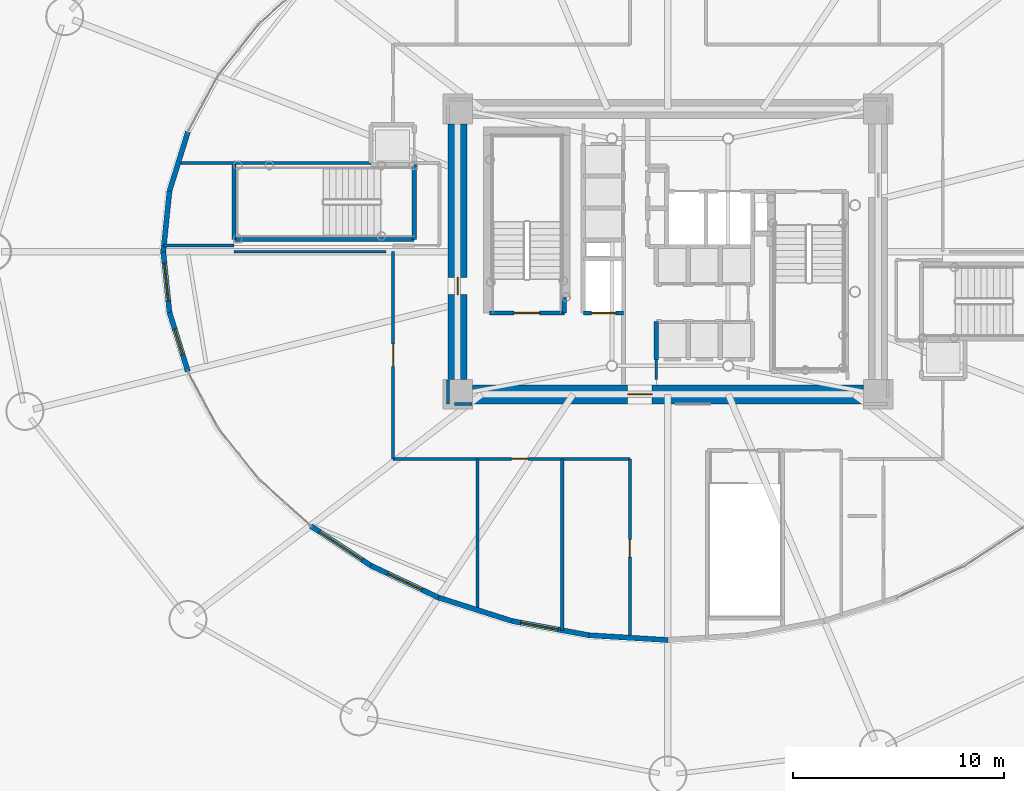
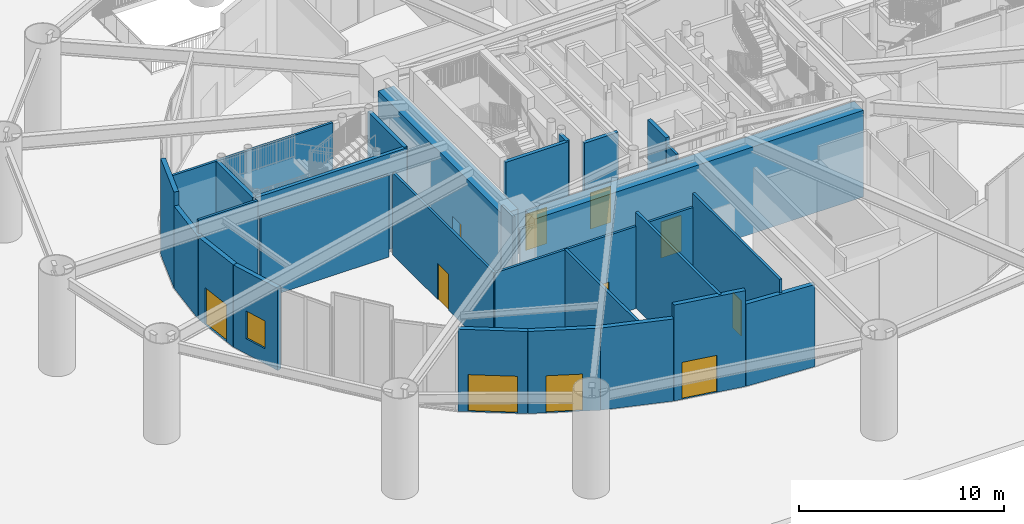
# One storey, part 29 of 46: 29 walls, 11 doors, 1 window, 12 openings.
"""IFC4 building model written with IfcOpenShell, lengths in metres."""

from ifc_helpers import new_model, si_unit, direction, frame, frame_2d, origin, origin_2d, place, context, subcontext, project, spatial, rectangle, extrude, source, transform, mapped, material, layer, layer_set, type_object, element, fill, save


model = new_model("IFC4")

# Units and contexts
model_context = context("Model", 3, precision=1e-05, world=origin(), true_north=direction((0.0, 1.0)))
body_context = subcontext(model_context, "Body", "Model", "MODEL_VIEW")
ifc_project = project(units=[si_unit("LENGTHUNIT", "METRE"), si_unit("AREAUNIT", "SQUARE_METRE"), si_unit("VOLUMEUNIT", "CUBIC_METRE"), si_unit("PLANEANGLEUNIT", "RADIAN"), si_unit("MASSUNIT", "GRAM", prefix="KILO")], contexts=[model_context])

# Site, building, storey
site_placement = place(None, origin())
site = spatial("IfcSite", under=ifc_project, at=site_placement, CompositionType="ELEMENT")
building_placement = place(site_placement, origin())
building = spatial("IfcBuilding", under=site, at=building_placement, Name="Linh Dai School and Residence Tower", CompositionType="ELEMENT")
storey_placement = place(building_placement, origin())
storey = spatial("IfcBuildingStorey", under=building, at=storey_placement, Name="L00", CompositionType="ELEMENT", Elevation=0.0)

# Walls
ifc_material_1 = material(Name="Precast Concrete B45 (C35/45)", Category="concrete")
ifc_layer_1 = layer(ifc_material_1, 0.25)
ifc_layer_set_1 = layer_set([ifc_layer_1], Name="Precast Concrete B45 (C35/45)")
wall_type_1 = type_object("IfcWallType", Name="EW-TC-250", PredefinedType="SOLIDWALL", material=ifc_layer_set_1)
wall_1_placement = place(storey_placement, frame((12.41796875, 29.868896484375, 0.0), z_axis=(0.0, 0.0, 1.0), x_axis=(0.297355038878, 0.954766977254, 0.0)))
element("IfcWall", 1, at=wall_1_placement, inside=storey, type_object=wall_type_1, Name="L00 Terracotta Exterior Wall 19", PredefinedType="SOLIDWALL", context=body_context, shape_type="SweptSolid", body=[
    extrude(rectangle(XDim=2.931884765625, YDim=0.25, at=frame_2d((1.4658203125, 0.0))), origin(), (0.0, 0.0, 1.0), 5.699951171875),
])
wall_2_placement = place(storey_placement, frame((12.125, 27.0, 0.0), z_axis=(0.0, 0.0, 1.0), x_axis=(0.10159063445, 0.994826287847, 0.0)))
element("IfcWall", 2, at=wall_2_placement, inside=storey, type_object=wall_type_1, Name="L00 Terracotta Exterior Wall 20", PredefinedType="SOLIDWALL", context=body_context, shape_type="SweptSolid", body=[
    extrude(rectangle(XDim=2.8837890625, YDim=0.25, at=frame_2d((1.44189453125, 0.0))), origin(), (0.0, 0.0, 1.0), 4.885009765625),
])

# Wall, opening, door
wall_3_placement = place(storey_placement, frame((12.41796875, 24.131103515625, 0.0), z_axis=(0.0, 0.0, 1.0), x_axis=(-0.10159063445, 0.994826287847, 0.0)))
wall_3 = element("IfcWall", 3, at=wall_3_placement, inside=storey, type_object=wall_type_1, Name="L00 Terracotta Exterior Wall 21", PredefinedType="SOLIDWALL", context=body_context, shape_type="SweptSolid", body=[
    extrude(rectangle(XDim=2.8837890625, YDim=0.25, at=frame_2d((1.44189453125, 0.0))), origin(), (0.0, 0.0, 1.0), 4.885009765625),
])
opening_1_placement = place(wall_3_placement, frame((0.5419921875, 0.0, 0.0)))
opening_1 = element("IfcOpeningElement", 4, at=opening_1_placement, cuts=wall_3, Name="Opening ED-07", PredefinedType="OPENING", context=body_context, shape_type="SweptSolid", body=[
    extrude(rectangle(XDim=1.800048828125, YDim=2.199951171875, at=origin_2d()), frame((0.89990234375, 0.135009765625, 1.10009765625), z_axis=(0.0, -1.0, 0.0), x_axis=(1.0, 0.0, 0.0)), (0.0, 0.0, 1.0), 0.27001953125),
])
ifc_material_2 = material(Name="Glazed Aluminium Exit Door", Category="aluminium")
door_type_1 = type_object("IfcDoorType", Name="DR-EXIT-1800x2200", OperationType="NOTDEFINED", PredefinedType="DOOR", material=ifc_material_2)
shared_shape_1 = source(origin(), body_context, "Body", "SweptSolid", [
    extrude(rectangle(XDim=1.800048828125, YDim=2.199951171875, at=origin_2d()), frame((0.89990234375, 0.02490234375, 1.10009765625), z_axis=(0.0, -1.0, 0.0), x_axis=(1.0, 0.0, 0.0)), (0.0, 0.0, 1.0), 0.050048828125),
])
door_1_placement = place(opening_1_placement, origin())
door_1 = element("IfcDoor", 5, at=door_1_placement, inside=storey, type_object=door_type_1, Name="Final Exit Door ED-07 (Protected Stair STS1 West Exit)", OperationType="SINGLE_SWING_RIGHT", OverallHeight=2.199951171875, OverallWidth=1.800048828125, PredefinedType="DOOR", context=body_context, shape_type="MappedRepresentation", body=[
    mapped(shared_shape_1, transform((0.0, 0.0, 0.0), x_axis=(1.0, 0.0, 0.0), y_axis=(0.0, 1.0, 0.0), z_axis=(0.0, 0.0, 1.0), scale=1.0)),
])
fill(opening_1, door_1)

# Wall, opening, window
wall_4_placement = place(storey_placement, frame((13.289794921875, 21.331787109375, 0.0), z_axis=(0.0, 0.0, 1.0), x_axis=(-0.297355038878, 0.954766977254, 0.0)))
wall_4 = element("IfcWall", 6, at=wall_4_placement, inside=storey, type_object=wall_type_1, Name="L00 Terracotta Exterior Wall 22", PredefinedType="SOLIDWALL", context=body_context, shape_type="SweptSolid", body=[
    extrude(rectangle(XDim=2.931884765625, YDim=0.25, at=frame_2d((1.4658203125, 0.0))), origin(), (0.0, 0.0, 1.0), 4.885009765625),
])
opening_2_placement = place(wall_4_placement, frame((0.8408203125, 0.0, 0.89990234375)))
opening_2 = element("IfcOpeningElement", 7, at=opening_2_placement, cuts=wall_4, Name="Opening W3", PredefinedType="OPENING", context=body_context, shape_type="SweptSolid", body=[
    extrude(rectangle(XDim=1.25, YDim=1.64990234375, at=origin_2d()), frame((0.625, 0.135009765625, 0.824951171875), z_axis=(0.0, -1.0, 0.0), x_axis=(1.0, 0.0, 0.0)), (0.0, 0.0, 1.0), 0.27001953125),
])
ifc_material_3 = material(Name="Double Low-E Insulated Glazing", Category="glass")
window_type = type_object("IfcWindowType", Name="WN-RES-1250x1650", PartitioningType="SINGLE_PANEL", PredefinedType="WINDOW", material=ifc_material_3)
shared_shape_2 = source(origin(), body_context, "Body", "SweptSolid", [
    extrude(rectangle(XDim=1.25, YDim=1.64990234375, at=origin_2d()), frame((0.625, 0.030029296875, 0.824951171875), z_axis=(0.0, -1.0, 0.0), x_axis=(1.0, 0.0, 0.0)), (0.0, 0.0, 1.0), 0.06005859375),
])
window_placement = place(opening_2_placement, origin())
window = element("IfcWindow", 8, at=window_placement, inside=storey, type_object=window_type, Name="L00 Exterior Window 22.1", OverallHeight=1.64990234375, OverallWidth=1.25, PartitioningType="SINGLE_PANEL", PredefinedType="WINDOW", context=body_context, shape_type="MappedRepresentation", body=[
    mapped(shared_shape_2, transform((0.0, 0.0, 0.0), x_axis=(1.0, 0.0, 0.0), y_axis=(0.0, 1.0, 0.0), z_axis=(0.0, 0.0, 1.0), scale=1.0)),
])
fill(opening_2, window)

# Wall, opening, door
wall_5_placement = place(storey_placement, frame((21.954345703125, 12.142333984375, 0.0), z_axis=(0.0, 0.0, 1.0), x_axis=(-0.835263082911, 0.549850509071, 0.0)))
wall_5 = element("IfcWall", 9, at=wall_5_placement, inside=storey, type_object=wall_type_1, Name="L00 Terracotta Exterior Wall 26", PredefinedType="SOLIDWALL", context=body_context, shape_type="SweptSolid", body=[
    extrude(rectangle(XDim=3.410400390625, YDim=0.25, at=frame_2d((1.705078125, 0.0))), origin(), (0.0, 0.0, 1.0), 4.885009765625),
])
opening_3_placement = place(wall_5_placement, frame((0.505126953125, 0.0, 0.0)))
opening_3 = element("IfcOpeningElement", 10, at=opening_3_placement, cuts=wall_5, Name="Opening VG-03", PredefinedType="OPENING", context=body_context, shape_type="SweptSolid", body=[
    extrude(rectangle(XDim=2.39990234375, YDim=2.199951171875, at=origin_2d()), frame((1.199951171875, 0.135009765625, 1.10009765625), z_axis=(0.0, -1.0, 0.0), x_axis=(1.0, 0.0, 0.0)), (0.0, 0.0, 1.0), 0.27001953125),
])
ifc_material_4 = material(Name="Powder-Coated Steel Security Gate", Category="steel")
door_type_2 = type_object("IfcDoorType", Name="GT-PLAZA-2400x2200", OperationType="NOTDEFINED", PredefinedType="GATE", material=ifc_material_4)
shared_shape_3 = source(origin(), body_context, "Body", "SweptSolid", [
    extrude(rectangle(XDim=2.39990234375, YDim=2.199951171875, at=origin_2d()), frame((1.199951171875, 0.02490234375, 1.10009765625), z_axis=(0.0, -1.0, 0.0), x_axis=(1.0, 0.0, 0.0)), (0.0, 0.0, 1.0), 0.050048828125),
])
door_2_placement = place(opening_3_placement, origin())
door_2 = element("IfcDoor", 11, at=door_2_placement, inside=storey, type_object=door_type_2, Name="L00 Concourse Security Gate VG-03", OperationType="SINGLE_SWING_LEFT", OverallHeight=2.199951171875, OverallWidth=2.39990234375, PredefinedType="GATE", context=body_context, shape_type="MappedRepresentation", body=[
    mapped(shared_shape_3, transform((0.0, 0.0, 0.0), x_axis=(1.0, 0.0, 0.0), y_axis=(0.0, 1.0, 0.0), z_axis=(0.0, 0.0, 1.0), scale=1.0)),
])
fill(opening_3, door_2)

wall_6_placement = place(storey_placement, frame((25.14990234375, 10.6328125, 0.0), z_axis=(0.0, 0.0, 1.0), x_axis=(-0.9041930697, 0.427123978146, 0.0)))
wall_6 = element("IfcWall", 12, at=wall_6_placement, inside=storey, type_object=wall_type_1, Name="L00 Terracotta Exterior Wall 27", PredefinedType="SOLIDWALL", context=body_context, shape_type="SweptSolid", body=[
    extrude(rectangle(XDim=3.5341796875, YDim=0.25, at=frame_2d((1.76708984375, 0.0))), origin(), (0.0, 0.0, 1.0), 4.885009765625),
])
opening_4_placement = place(wall_6_placement, frame((0.8671875, 0.0, 0.0)))
opening_4 = element("IfcOpeningElement", 13, at=opening_4_placement, cuts=wall_6, Name="Opening ED-04", PredefinedType="OPENING", context=body_context, shape_type="SweptSolid", body=[
    extrude(rectangle(XDim=1.800048828125, YDim=2.199951171875, at=origin_2d()), frame((0.89990234375, 0.135009765625, 1.10009765625), z_axis=(0.0, -1.0, 0.0), x_axis=(1.0, 0.0, 0.0)), (0.0, 0.0, 1.0), 0.27001953125),
])
door_3_placement = place(opening_4_placement, origin())
door_3 = element("IfcDoor", 14, at=door_3_placement, inside=storey, type_object=door_type_1, Name="Final Exit Door ED-04 (Stair ST1 South-West Exit)", OperationType="SINGLE_SWING_RIGHT", OverallHeight=2.199951171875, OverallWidth=1.800048828125, PredefinedType="DOOR", context=body_context, shape_type="MappedRepresentation", body=[
    mapped(shared_shape_1, transform((0.0, 0.0, 0.0), x_axis=(1.0, 0.0, 0.0), y_axis=(0.0, 1.0, 0.0), z_axis=(0.0, 0.0, 1.0), scale=1.0)),
])
fill(opening_4, door_3)

# Wall
wall_7_placement = place(storey_placement, frame((28.614013671875, 9.526611328125, 0.0), z_axis=(0.0, 0.0, 1.0), x_axis=(-0.952608721119, 0.304198330777, 0.0)))
element("IfcWall", 15, at=wall_7_placement, inside=storey, type_object=wall_type_1, Name="L00 Terracotta Exterior Wall 28", PredefinedType="SOLIDWALL", context=body_context, shape_type="SweptSolid", body=[
    extrude(rectangle(XDim=3.636474609375, YDim=0.25, at=frame_2d((1.818359375, 0.0))), origin(), (0.0, 0.0, 1.0), 4.885009765625),
])

# Wall, opening, door
wall_8_placement = place(storey_placement, frame((32.2607421875, 8.851806640625, 0.0), z_axis=(0.0, 0.0, 1.0), x_axis=(-0.983306878602, 0.181954891374, 0.0)))
wall_8 = element("IfcWall", 16, at=wall_8_placement, inside=storey, type_object=wall_type_1, Name="L00 Terracotta Exterior Wall 29", PredefinedType="SOLIDWALL", context=body_context, shape_type="SweptSolid", body=[
    extrude(rectangle(XDim=3.708740234375, YDim=0.25, at=frame_2d((1.8544921875, 0.0))), origin(), (0.0, 0.0, 1.0), 5.699951171875),
])
opening_5_placement = place(wall_8_placement, frame((1.48095703125, 0.0, 0.0)))
opening_5 = element("IfcOpeningElement", 17, at=opening_5_placement, cuts=wall_8, Name="Opening ED-08", PredefinedType="OPENING", context=body_context, shape_type="SweptSolid", body=[
    extrude(rectangle(XDim=1.800048828125, YDim=2.199951171875, at=origin_2d()), frame((0.89990234375, 0.135009765625, 1.10009765625), z_axis=(0.0, -1.0, 0.0), x_axis=(1.0, 0.0, 0.0)), (0.0, 0.0, 1.0), 0.27001953125),
])
door_4_placement = place(opening_5_placement, origin())
door_4 = element("IfcDoor", 18, at=door_4_placement, inside=storey, type_object=door_type_1, Name="Final Exit Door ED-08 (Protected Stair STB1 South-East Exit)", OperationType="SINGLE_SWING_LEFT", OverallHeight=2.199951171875, OverallWidth=1.800048828125, PredefinedType="DOOR", context=body_context, shape_type="MappedRepresentation", body=[
    mapped(shared_shape_1, transform((0.0, 0.0, 0.0), x_axis=(1.0, 0.0, 0.0), y_axis=(0.0, 1.0, 0.0), z_axis=(0.0, 0.0, 1.0), scale=1.0)),
])
fill(opening_5, door_4)

# Walls
wall_9_placement = place(storey_placement, frame((36.0, 8.625, 0.0), z_axis=(0.0, 0.0, 1.0), x_axis=(-0.99816551411, 0.060544251933, 0.0)))
element("IfcWall", 19, at=wall_9_placement, inside=storey, type_object=wall_type_1, Name="L00 Terracotta Exterior Wall 30", PredefinedType="SOLIDWALL", context=body_context, shape_type="SweptSolid", body=[
    extrude(rectangle(XDim=3.74609375, YDim=0.25, at=frame_2d((1.873046875, 0.0))), origin(), (0.0, 0.0, 1.0), 4.885009765625),
])
ifc_material_5 = material(Name="Autoclaved Aerated Concrete Blockwork", Category="masonry")
ifc_layer_2 = layer(ifc_material_5, 0.135009765625)
ifc_layer_set_2 = layer_set([ifc_layer_2], Name="Autoclaved Aerated Concrete Blockwork")
wall_type_2 = type_object("IfcWallType", Name="IW-CORR-135-EI90", PredefinedType="PARTITIONING", material=ifc_layer_set_2)
wall_10_placement = place(storey_placement, frame((12.827392578125, 31.199951171875, 0.0), z_axis=(0.0, 0.0, 1.0), x_axis=(1.0, 0.0, 0.0)))
element("IfcWall", 20, at=wall_10_placement, inside=storey, type_object=wall_type_2, Name="L00 Interior Partition Wall 001", PredefinedType="PARTITIONING", context=body_context, shape_type="SweptSolid", body=[
    extrude(rectangle(XDim=9.12255859375, YDim=0.135009765625, at=frame_2d((4.561279296875, 0.0))), origin(), (0.0, 0.0, 1.0), 5.699951171875),
])

# Wall, opening, door
wall_11_placement = place(storey_placement, frame((23.0, 17.199951171875, 0.0), z_axis=(0.0, 0.0, 1.0), x_axis=(0.0, 1.0, 0.0)))
wall_11 = element("IfcWall", 21, at=wall_11_placement, inside=storey, type_object=wall_type_2, Name="L00 Interior Partition Wall 007", PredefinedType="PARTITIONING", context=body_context, shape_type="SweptSolid", body=[
    extrude(rectangle(XDim=9.800048828125, YDim=0.135009765625, at=frame_2d((4.89990234375, 0.0))), origin(), (0.0, 0.0, 1.0), 4.885009765625),
])
opening_6_placement = place(wall_11_placement, frame((4.375, 0.0, 0.0)))
opening_6 = element("IfcOpeningElement", 22, at=opening_6_placement, cuts=wall_11, Name="Opening D04", PredefinedType="OPENING", context=body_context, shape_type="SweptSolid", body=[
    extrude(rectangle(XDim=1.050048828125, YDim=2.14990234375, at=origin_2d()), frame((0.52490234375, 0.07763671875, 1.074951171875), z_axis=(0.0, -1.0, 0.0), x_axis=(1.0, 0.0, 0.0)), (0.0, 0.0, 1.0), 0.155029296875),
])
ifc_material_6 = material(Name="Acoustic Vision-Panel Timber Classroom Door", Category="wood")
door_type_3 = type_object("IfcDoorType", Name="DR-SCH-1050x2150-FD60S", OperationType="NOTDEFINED", PredefinedType="DOOR", material=ifc_material_6)
shared_shape_4 = source(origin(), body_context, "Body", "SweptSolid", [
    extrude(rectangle(XDim=1.050048828125, YDim=2.14990234375, at=origin_2d()), frame((0.52490234375, 0.02490234375, 1.074951171875), z_axis=(0.0, -1.0, 0.0), x_axis=(1.0, 0.0, 0.0)), (0.0, 0.0, 1.0), 0.050048828125),
])
door_5_placement = place(opening_6_placement, origin())
door_5 = element("IfcDoor", 23, at=door_5_placement, inside=storey, type_object=door_type_3, Name="L00 School Safeguarding Reception Office Door", OperationType="SINGLE_SWING_RIGHT", OverallHeight=2.14990234375, OverallWidth=1.050048828125, PredefinedType="DOOR", context=body_context, shape_type="MappedRepresentation", body=[
    mapped(shared_shape_4, transform((0.0, 0.0, 0.0), x_axis=(1.0, 0.0, 0.0), y_axis=(0.0, 1.0, 0.0), z_axis=(0.0, 0.0, 1.0), scale=1.0)),
])
fill(opening_6, door_5)

wall_12_placement = place(storey_placement, frame((23.0, 17.199951171875, 0.0), z_axis=(0.0, 0.0, 1.0), x_axis=(1.0, 0.0, 0.0)))
wall_12 = element("IfcWall", 24, at=wall_12_placement, inside=storey, type_object=wall_type_2, Name="L00 Interior Partition Wall 008", PredefinedType="PARTITIONING", context=body_context, shape_type="SweptSolid", body=[
    extrude(rectangle(XDim=11.199951171875, YDim=0.135009765625, at=frame_2d((5.60009765625, 0.0))), origin(), (0.0, 0.0, 1.0), 4.885009765625),
])
opening_7_placement = place(wall_12_placement, frame((5.590087890625, 0.0, 0.0)))
opening_7 = element("IfcOpeningElement", 25, at=opening_7_placement, cuts=wall_12, Name="Opening D06", PredefinedType="OPENING", context=body_context, shape_type="SweptSolid", body=[
    extrude(rectangle(XDim=0.820068359375, YDim=2.10009765625, at=origin_2d()), frame((0.41015625, 0.07763671875, 1.050048828125), z_axis=(0.0, -1.0, 0.0), x_axis=(1.0, 0.0, 0.0)), (0.0, 0.0, 1.0), 0.155029296875),
])
ifc_material_7 = material(Name="Moisture-Resistant Timber Bathroom Door", Category="wood")
door_type_4 = type_object("IfcDoorType", Name="DR-WET-820x2100", OperationType="NOTDEFINED", PredefinedType="DOOR", material=ifc_material_7)
shared_shape_5 = source(origin(), body_context, "Body", "SweptSolid", [
    extrude(rectangle(XDim=0.820068359375, YDim=2.10009765625, at=origin_2d()), frame((0.41015625, 0.02490234375, 1.050048828125), z_axis=(0.0, -1.0, 0.0), x_axis=(1.0, 0.0, 0.0)), (0.0, 0.0, 1.0), 0.050048828125),
])
door_6_placement = place(opening_7_placement, origin())
door_6 = element("IfcDoor", 26, at=door_6_placement, inside=storey, type_object=door_type_4, Name="L00 Ground Lobby Male WC Door", OperationType="SINGLE_SWING_LEFT", OverallHeight=2.10009765625, OverallWidth=0.820068359375, PredefinedType="DOOR", context=body_context, shape_type="MappedRepresentation", body=[
    mapped(shared_shape_5, transform((0.0, 0.0, 0.0), x_axis=(1.0, 0.0, 0.0), y_axis=(0.0, 1.0, 0.0), z_axis=(0.0, 0.0, 1.0), scale=1.0)),
])
fill(opening_7, door_6)

wall_13_placement = place(storey_placement, frame((34.199951171875, 8.729248046875, 0.0), z_axis=(0.0, 0.0, 1.0), x_axis=(0.0, 1.0, 0.0)))
wall_13 = element("IfcWall", 27, at=wall_13_placement, inside=storey, type_object=wall_type_2, Name="L00 Interior Partition Wall 028", PredefinedType="PARTITIONING", context=body_context, shape_type="SweptSolid", body=[
    extrude(rectangle(XDim=8.470703125, YDim=0.135009765625, at=frame_2d((4.2353515625, 0.0))), origin(), (0.0, 0.0, 1.0), 5.699951171875),
])
opening_8_placement = place(wall_13_placement, frame((3.825439453125, 0.0, 0.0)))
opening_8 = element("IfcOpeningElement", 28, at=opening_8_placement, cuts=wall_13, Name="Opening D06", PredefinedType="OPENING", context=body_context, shape_type="SweptSolid", body=[
    extrude(rectangle(XDim=0.820068359375, YDim=2.10009765625, at=origin_2d()), frame((0.41015625, 0.07763671875, 1.050048828125), z_axis=(0.0, -1.0, 0.0), x_axis=(1.0, 0.0, 0.0)), (0.0, 0.0, 1.0), 0.155029296875),
])
door_7_placement = place(opening_8_placement, origin())
door_7 = element("IfcDoor", 29, at=door_7_placement, inside=storey, type_object=door_type_4, Name="L00 Ground Lobby Female WC Door", OperationType="SINGLE_SWING_RIGHT", OverallHeight=2.10009765625, OverallWidth=0.820068359375, PredefinedType="DOOR", context=body_context, shape_type="MappedRepresentation", body=[
    mapped(shared_shape_5, transform((0.0, 0.0, 0.0), x_axis=(1.0, 0.0, 0.0), y_axis=(0.0, 1.0, 0.0), z_axis=(0.0, 0.0, 1.0), scale=1.0)),
])
fill(opening_8, door_7)

# Walls
wall_14_placement = place(storey_placement, frame((35.449951171875, 21.889892578125, 0.0), z_axis=(0.0, 0.0, 1.0), x_axis=(0.0, -1.0, 0.0)))
element("IfcWall", 30, at=wall_14_placement, inside=storey, type_object=wall_type_2, Name="L00 Interior Partition Wall 089", PredefinedType="PARTITIONING", context=body_context, shape_type="SweptSolid", body=[
    extrude(rectangle(XDim=0.929931640625, YDim=0.135009765625, at=frame_2d((0.46484375, 0.0))), origin(), (0.0, 0.0, 1.0), 5.284912109375),
])
wall_15_placement = place(storey_placement, frame((15.47998046875, 27.300048828125, 0.0), z_axis=(0.0, 0.0, 1.0), x_axis=(-1.0, 0.0, 0.0)))
element("IfcWall", 31, at=wall_15_placement, inside=storey, type_object=wall_type_2, Name="L00 Interior Partition Wall 091", PredefinedType="PARTITIONING", context=body_context, shape_type="SweptSolid", body=[
    extrude(rectangle(XDim=3.329345703125, YDim=0.135009765625, at=frame_2d((1.66455078125, 0.0))), origin(), (0.0, 0.0, 1.0), 5.699951171875),
])
wall_16_placement = place(storey_placement, frame((25.60009765625, 20.93994140625, 0.0), z_axis=(0.0, 0.0, 1.0), x_axis=(0.0, -1.0, 0.0)))
element("IfcWall", 32, at=wall_16_placement, inside=storey, type_object=wall_type_2, Name="L00 Interior Partition Wall 098", PredefinedType="PARTITIONING", context=body_context, shape_type="SweptSolid", body=[
    extrude(rectangle(XDim=1.139892578125, YDim=0.135009765625, at=frame_2d((0.56982421875, 0.0))), origin(), (0.0, 0.0, 1.0), 5.699951171875),
])
wall_17_placement = place(storey_placement, frame((25.907470703125, 19.800048828125, 0.0), z_axis=(0.0, 0.0, 1.0), x_axis=(1.0, 0.0, 0.0)))
element("IfcWall", 33, at=wall_17_placement, inside=storey, type_object=wall_type_2, Name="L00 Interior Partition Wall 099", PredefinedType="PARTITIONING", context=body_context, shape_type="SweptSolid", body=[
    extrude(rectangle(XDim=0.83251953125, YDim=0.135009765625, at=frame_2d((0.416259765625, 0.0))), origin(), (0.0, 0.0, 1.0), 4.885009765625),
])
wall_18_placement = place(storey_placement, frame((15.47998046875, 27.0, 0.0), z_axis=(0.0, 0.0, 1.0), x_axis=(1.0, 0.0, 0.0)))
element("IfcWall", 34, at=wall_18_placement, inside=storey, type_object=wall_type_2, Name="L00 Interior Partition Wall 104", PredefinedType="PARTITIONING", context=body_context, shape_type="SweptSolid", body=[
    extrude(rectangle(XDim=7.192626953125, YDim=0.135009765625, at=frame_2d((3.59619140625, 0.0))), origin(), (0.0, 0.0, 1.0), 4.885009765625),
])
ifc_layer_3 = layer(ifc_material_5, 0.14990234375)
ifc_layer_set_3 = layer_set([ifc_layer_3], Name="Autoclaved Aerated Concrete Blockwork")
wall_type_3 = type_object("IfcWallType", Name="IW-SCH-150-EI60", PredefinedType="PARTITIONING", material=ifc_layer_set_3)
wall_19_placement = place(storey_placement, frame((27.0, 10.036865234375, 0.0), z_axis=(0.0, 0.0, 1.0), x_axis=(0.0, 1.0, 0.0)))
element("IfcWall", 35, at=wall_19_placement, inside=storey, type_object=wall_type_3, Name="L00 Interior Partition Wall 017", PredefinedType="PARTITIONING", context=body_context, shape_type="SweptSolid", body=[
    extrude(rectangle(XDim=7.1630859375, YDim=0.14990234375, at=frame_2d((3.58154296875, 0.0))), origin(), (0.0, 0.0, 1.0), 4.885009765625),
])
wall_20_placement = place(storey_placement, frame((31.0, 9.080078125, 0.0), z_axis=(0.0, 0.0, 1.0), x_axis=(0.0, 1.0, 0.0)))
element("IfcWall", 36, at=wall_20_placement, inside=storey, type_object=wall_type_3, Name="L00 Interior Partition Wall 019", PredefinedType="PARTITIONING", context=body_context, shape_type="SweptSolid", body=[
    extrude(rectangle(XDim=8.119873046875, YDim=0.14990234375, at=frame_2d((4.06005859375, 0.0))), origin(), (0.0, 0.0, 1.0), 5.699951171875),
])
ifc_material_8 = material(Name="Concrete B45 (C35/45)", Category="concrete")
ifc_layer_4 = layer(ifc_material_8, 0.199951171875)
ifc_layer_set_4 = layer_set([ifc_layer_4], Name="Concrete B45 (C35/45)")
wall_type_4 = type_object("IfcWallType", Name="IW-SHAFT-200-EI120", PredefinedType="PARTITIONING", material=ifc_layer_set_4)
wall_21_placement = place(storey_placement, frame((15.47998046875, 27.580078125, 0.0), z_axis=(0.0, 0.0, 1.0), x_axis=(0.0, 1.0, 0.0)))
element("IfcWall", 37, at=wall_21_placement, inside=storey, type_object=wall_type_4, Name="L00 Interior Partition Wall 002", PredefinedType="PARTITIONING", context=body_context, shape_type="SweptSolid", body=[
    extrude(rectangle(XDim=3.5400390625, YDim=0.199951171875, at=frame_2d((1.77001953125, 0.0))), origin(), (0.0, 0.0, 1.0), 5.699951171875),
])
wall_22_placement = place(storey_placement, frame((15.47998046875, 27.580078125, 0.0), z_axis=(0.0, 0.0, 1.0), x_axis=(1.0, 0.0, 0.0)))
element("IfcWall", 38, at=wall_22_placement, inside=storey, type_object=wall_type_4, Name="L00 Interior Partition Wall 003", PredefinedType="PARTITIONING", context=body_context, shape_type="SweptSolid", body=[
    extrude(rectangle(XDim=8.52001953125, YDim=0.199951171875, at=frame_2d((4.260009765625, 0.0))), origin(), (0.0, 0.0, 1.0), 5.699951171875),
])
wall_23_placement = place(storey_placement, frame((24.0, 27.580078125, 0.0), z_axis=(0.0, 0.0, 1.0), x_axis=(0.0, 1.0, 0.0)))
element("IfcWall", 39, at=wall_23_placement, inside=storey, type_object=wall_type_4, Name="L00 Interior Partition Wall 012", PredefinedType="PARTITIONING", context=body_context, shape_type="SweptSolid", body=[
    extrude(rectangle(XDim=3.5400390625, YDim=0.199951171875, at=frame_2d((1.77001953125, 0.0))), origin(), (0.0, 0.0, 1.0), 5.699951171875),
])

# Wall, opening, door
wall_24_placement = place(storey_placement, frame((27.56005859375, 24.10009765625, 0.0), z_axis=(0.0, 0.0, 1.0), x_axis=(1.0, 0.0, 0.0)))
wall_24 = element("IfcWall", 40, at=wall_24_placement, inside=storey, type_object=wall_type_4, Name="L00 Interior Partition Wall 018", PredefinedType="PARTITIONING", context=body_context, shape_type="SweptSolid", body=[
    extrude(rectangle(XDim=3.5400390625, YDim=0.199951171875, at=frame_2d((1.77001953125, 0.0))), origin(), (0.0, 0.0, 1.0), 5.699951171875),
])
opening_9_placement = place(wall_24_placement, frame((1.169921875, 0.0, 0.0)))
opening_9 = element("IfcOpeningElement", 41, at=opening_9_placement, cuts=wall_24, Name="Opening D01", PredefinedType="OPENING", context=body_context, shape_type="SweptSolid", body=[
    extrude(rectangle(XDim=1.199951171875, YDim=2.14990234375, at=origin_2d()), frame((0.60009765625, 0.10986328125, 1.074951171875), z_axis=(0.0, -1.0, 0.0), x_axis=(1.0, 0.0, 0.0)), (0.0, 0.0, 1.0), 0.219970703125),
])
ifc_material_9 = material(Name="Fire-Rated Steel Door Leaf", Category="steel")
door_type_5 = type_object("IfcDoorType", Name="DR-STAIR-1200x2150-FD90S", OperationType="NOTDEFINED", PredefinedType="DOOR", material=ifc_material_9)
shared_shape_6 = source(origin(), body_context, "Body", "SweptSolid", [
    extrude(rectangle(XDim=1.199951171875, YDim=2.14990234375, at=origin_2d()), frame((0.60009765625, 0.02490234375, 1.074951171875), z_axis=(0.0, -1.0, 0.0), x_axis=(1.0, 0.0, 0.0)), (0.0, 0.0, 1.0), 0.050048828125),
])
door_8_placement = place(opening_9_placement, origin())
door_8 = element("IfcDoor", 42, at=door_8_placement, inside=storey, type_object=door_type_5, Name="L00 Core Smokeproof Exit Stair ST1 Door", OperationType="SINGLE_SWING_LEFT", OverallHeight=2.14990234375, OverallWidth=1.199951171875, PredefinedType="DOOR", context=body_context, shape_type="MappedRepresentation", body=[
    mapped(shared_shape_6, transform((0.0, 0.0, 0.0), x_axis=(1.0, 0.0, 0.0), y_axis=(0.0, 1.0, 0.0), z_axis=(0.0, 0.0, 1.0), scale=1.0)),
])
fill(opening_9, door_8)

# Wall
wall_25_placement = place(storey_placement, frame((31.10009765625, 24.10009765625, 0.0), z_axis=(0.0, 0.0, 1.0), x_axis=(0.0, 1.0, 0.0)))
element("IfcWall", 43, at=wall_25_placement, inside=storey, type_object=wall_type_4, Name="L00 Interior Partition Wall 020", PredefinedType="PARTITIONING", context=body_context, shape_type="SweptSolid", body=[
    extrude(rectangle(XDim=0.739990234375, YDim=0.199951171875, at=frame_2d((0.3701171875, 0.0))), origin(), (0.0, 0.0, 1.0), 5.699951171875),
])

# Wall, opening, door
wall_26_placement = place(storey_placement, frame((32.0, 24.10009765625, 0.0), z_axis=(0.0, 0.0, 1.0), x_axis=(1.0, 0.0, 0.0)))
wall_26 = element("IfcWall", 44, at=wall_26_placement, inside=storey, type_object=wall_type_4, Name="L00 Interior Partition Wall 022", PredefinedType="PARTITIONING", context=body_context, shape_type="SweptSolid", body=[
    extrude(rectangle(XDim=1.89990234375, YDim=0.199951171875, at=frame_2d((0.949951171875, 0.0))), origin(), (0.0, 0.0, 1.0), 5.284912109375),
])
opening_10_placement = place(wall_26_placement, frame((0.375, 0.0, 0.0)))
opening_10 = element("IfcOpeningElement", 45, at=opening_10_placement, cuts=wall_26, Name="Opening LD-FF2", PredefinedType="OPENING", context=body_context, shape_type="SweptSolid", body=[
    extrude(rectangle(XDim=1.14990234375, YDim=2.14990234375, at=origin_2d()), frame((0.574951171875, 0.10986328125, 1.074951171875), z_axis=(0.0, -1.0, 0.0), x_axis=(1.0, 0.0, 0.0)), (0.0, 0.0, 1.0), 0.219970703125),
])
ifc_material_10 = material(Name="Fire-Rated Stainless Steel Firefighting Lift Door", Category="steel")
door_type_6 = type_object("IfcDoorType", Name="DR-LD-FF-1150x2150-FD120", OperationType="DOUBLE_DOOR_SLIDING", PredefinedType="USERDEFINED", material=ifc_material_10)
shared_shape_7 = source(origin(), body_context, "Body", "SweptSolid", [
    extrude(rectangle(XDim=1.14990234375, YDim=2.14990234375, at=origin_2d()), frame((0.574951171875, 0.02490234375, 1.074951171875), z_axis=(0.0, -1.0, 0.0), x_axis=(1.0, 0.0, 0.0)), (0.0, 0.0, 1.0), 0.050048828125),
])
door_9_placement = place(opening_10_placement, origin())
door_9 = element("IfcDoor", 46, at=door_9_placement, inside=storey, type_object=door_type_6, Name="L00 Lift FF2 Sliding Landing Door", ObjectType="LANDING DOOR", OperationType="DOUBLE_DOOR_SLIDING", OverallHeight=2.14990234375, OverallWidth=1.14990234375, PredefinedType="USERDEFINED", context=body_context, shape_type="MappedRepresentation", body=[
    mapped(shared_shape_7, transform((0.0, 0.0, 0.0), x_axis=(1.0, 0.0, 0.0), y_axis=(0.0, 1.0, 0.0), z_axis=(0.0, 0.0, 1.0), scale=1.0)),
])
fill(opening_10, door_9)

# Wall
wall_27_placement = place(storey_placement, frame((35.449951171875, 21.89990234375, 0.0), z_axis=(0.0, 0.0, 1.0), x_axis=(0.0, 1.0, 0.0)))
element("IfcWall", 47, at=wall_27_placement, inside=storey, type_object=wall_type_4, Name="L00 Interior Partition Wall 036", PredefinedType="PARTITIONING", context=body_context, shape_type="SweptSolid", body=[
    extrude(rectangle(XDim=1.800048828125, YDim=0.199951171875, at=frame_2d((0.89990234375, 0.0))), origin(), (0.0, 0.0, 1.0), 5.699951171875),
])

# Wall, opening, door
ifc_material_11 = material(Name="Concrete B60 (C50/60)", Category="concrete")
ifc_layer_5 = layer(ifc_material_11, 0.89990234375)
ifc_layer_set_5 = layer_set([ifc_layer_5], Name="Concrete B60 (C50/60)")
wall_type_5 = type_object("IfcWallType", Name="WL-CORE900", PredefinedType="SHEAR", material=ifc_layer_set_5)
wall_28_placement = place(storey_placement, frame((45.25, 20.25, 0.0), z_axis=(0.0, 0.0, 1.0), x_axis=(-1.0, 0.0, 0.0)))
wall_28 = element("IfcWall", 48, at=wall_28_placement, inside=storey, type_object=wall_type_5, Name="L00 Central Core Shear Wall S", PredefinedType="SHEAR", context=body_context, shape_type="SweptSolid", body=[
    extrude(rectangle(XDim=18.5, YDim=0.89990234375, at=frame_2d((9.25, 0.0))), origin(), (0.0, 0.0, 1.0), 5.14990234375),
])
opening_11_placement = place(wall_28_placement, frame((10.0, 0.0, 0.0)))
opening_11 = element("IfcOpeningElement", 49, at=opening_11_placement, cuts=wall_28, Name="Opening D02", PredefinedType="OPENING", context=body_context, shape_type="SweptSolid", body=[
    extrude(rectangle(XDim=1.14990234375, YDim=2.14990234375, at=origin_2d()), frame((0.574951171875, 0.4599609375, 1.074951171875), z_axis=(0.0, -1.0, 0.0), x_axis=(1.0, 0.0, 0.0)), (0.0, 0.0, 1.0), 0.919921875),
])
ifc_material_12 = material(Name="Fire-Rated Glazed Steel Lobby Door", Category="steel")
door_type_7 = type_object("IfcDoorType", Name="DR-LOBBY-1150x2150-FD90S", OperationType="NOTDEFINED", PredefinedType="DOOR", material=ifc_material_12)
shared_shape_8 = source(origin(), body_context, "Body", "SweptSolid", [
    extrude(rectangle(XDim=1.14990234375, YDim=2.14990234375, at=origin_2d()), frame((0.574951171875, 0.02490234375, 1.074951171875), z_axis=(0.0, -1.0, 0.0), x_axis=(1.0, 0.0, 0.0)), (0.0, 0.0, 1.0), 0.050048828125),
])
door_10_placement = place(opening_11_placement, origin())
door_10 = element("IfcDoor", 50, at=door_10_placement, inside=storey, type_object=door_type_7, Name="L00 Passenger Foyer Access Door", OperationType="SINGLE_SWING_RIGHT", OverallHeight=2.14990234375, OverallWidth=1.14990234375, PredefinedType="DOOR", context=body_context, shape_type="MappedRepresentation", body=[
    mapped(shared_shape_8, transform((0.0, 0.0, 0.0), x_axis=(1.0, 0.0, 0.0), y_axis=(0.0, 1.0, 0.0), z_axis=(0.0, 0.0, 1.0), scale=1.0)),
])
fill(opening_11, door_10)

wall_29_placement = place(storey_placement, frame((26.050048828125, 20.949951171875, 0.0), z_axis=(0.0, 0.0, 1.0), x_axis=(0.0, 1.0, 0.0)))
wall_29 = element("IfcWall", 51, at=wall_29_placement, inside=storey, type_object=wall_type_5, Name="L00 Central Core Shear Wall W", PredefinedType="SHEAR", context=body_context, shape_type="SweptSolid", body=[
    extrude(rectangle(XDim=12.10009765625, YDim=0.89990234375, at=frame_2d((6.050048828125, 0.0))), origin(), (0.0, 0.0, 1.0), 5.14990234375),
])
opening_12_placement = place(wall_29_placement, frame((4.01708984375, 0.0, 0.0)))
opening_12 = element("IfcOpeningElement", 52, at=opening_12_placement, cuts=wall_29, Name="Opening D06", PredefinedType="OPENING", context=body_context, shape_type="SweptSolid", body=[
    extrude(rectangle(XDim=0.820068359375, YDim=2.10009765625, at=origin_2d()), frame((0.41015625, 0.4599609375, 1.050048828125), z_axis=(0.0, -1.0, 0.0), x_axis=(1.0, 0.0, 0.0)), (0.0, 0.0, 1.0), 0.919921875),
])
door_11_placement = place(opening_12_placement, origin())
door_11 = element("IfcDoor", 53, at=door_11_placement, inside=storey, type_object=door_type_4, Name="L00 Firefighting Lobby Door", OperationType="SINGLE_SWING_RIGHT", OverallHeight=2.10009765625, OverallWidth=0.820068359375, PredefinedType="DOOR", context=body_context, shape_type="MappedRepresentation", body=[
    mapped(shared_shape_5, transform((0.0, 0.0, 0.0), x_axis=(1.0, 0.0, 0.0), y_axis=(0.0, 1.0, 0.0), z_axis=(0.0, 0.0, 1.0), scale=1.0)),
])
fill(opening_12, door_11)

save(model, "model.ifc")
